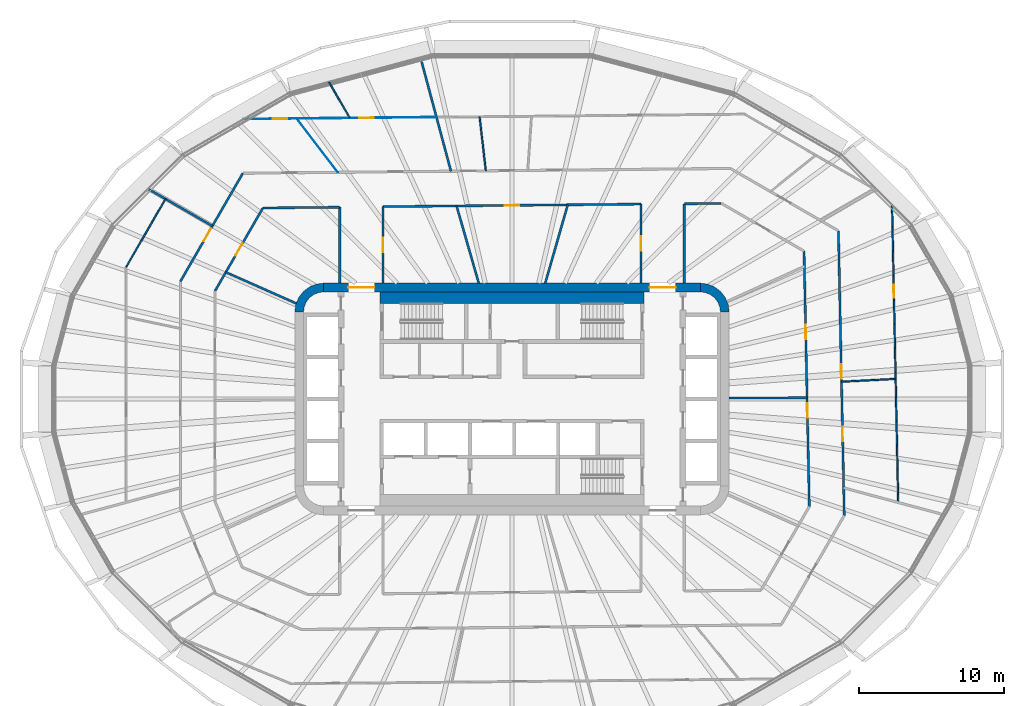
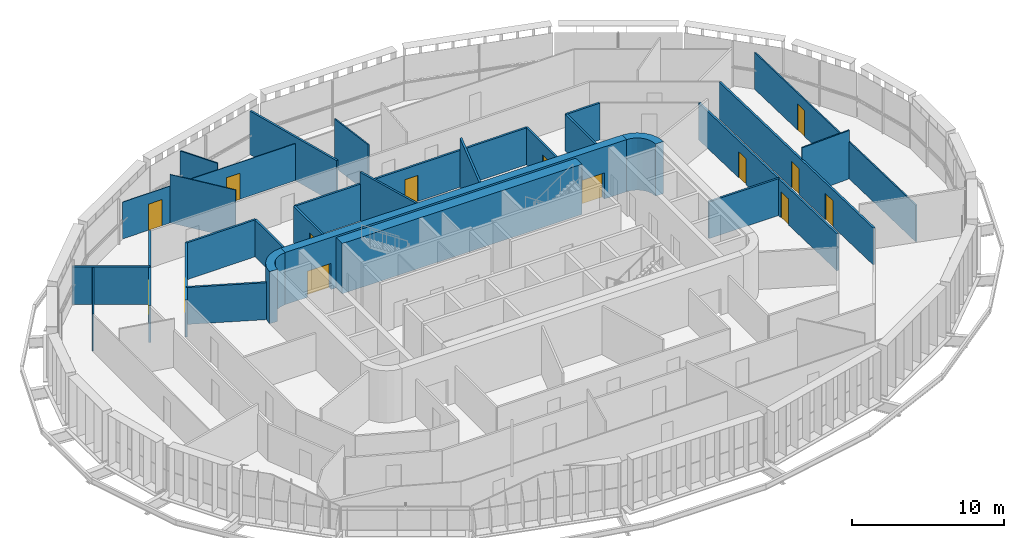
# One storey, part 17 of 26: 28 walls, 14 doors, 14 openings.
"""IFC4 building model written with IfcOpenShell, lengths in metres."""

from ifc_helpers import new_model, si_unit, direction, frame, frame_2d, origin, place, context, subcontext, project, spatial, polyline, rectangle, outline, extrude, material, layer, layer_set, type_object, element, fill, save


model = new_model("IFC4")

# Units and contexts
model_context = context("Model", 3, precision=1e-05, world=origin(), true_north=direction((0.0, 1.0)))
body_context = subcontext(model_context, "Body", "Model", "MODEL_VIEW")
ifc_project = project(units=[si_unit("LENGTHUNIT", "METRE"), si_unit("AREAUNIT", "SQUARE_METRE"), si_unit("VOLUMEUNIT", "CUBIC_METRE"), si_unit("PLANEANGLEUNIT", "RADIAN"), si_unit("MASSUNIT", "GRAM", prefix="KILO")], contexts=[model_context])

# Site, building, storey
site_placement = place(None, origin())
site = spatial("IfcSite", under=ifc_project, at=site_placement, CompositionType="ELEMENT")
building_placement = place(site_placement, origin())
building = spatial("IfcBuilding", under=site, at=building_placement, Name="Sahrelin Media Tower", CompositionType="ELEMENT")
storey_placement = place(building_placement, frame((0.0, 0.0, 88.199951171875)))
storey = spatial("IfcBuildingStorey", under=building, at=storey_placement, Name="L16", CompositionType="ELEMENT", Elevation=88.199951171875)

# Wall, openings, doors
ifc_material_1 = material(Name="Concrete C60/75", Category="concrete")
ifc_layer_1 = layer(ifc_material_1, 0.60009765625)
ifc_layer_set_1 = layer_set([ifc_layer_1], Name="Core wall 600")
wall_type_1 = type_object("IfcWallType", Name="Core wall 600", PredefinedType="SHEAR", material=ifc_layer_set_1)
wall_1_placement = place(storey_placement, frame((-13.0, 7.699951171875, 0.0), z_axis=(0.0, 0.0, 1.0), x_axis=(1.0, 0.0, 0.0)))
wall_1 = element("IfcWall", 1, at=wall_1_placement, inside=storey, type_object=wall_type_1, Name="Core wall N L16", PredefinedType="SHEAR", context=body_context, shape_type="SweptSolid", body=[
    extrude(rectangle(XDim=26.0, YDim=0.60009765625, at=frame_2d((13.0, 0.0))), origin(), (0.0, 0.0, 1.0), 4.199951171875),
])
opening_1_placement = place(wall_1_placement, frame((1.699951171875, 0.0, 0.0)))
opening_1 = element("IfcOpeningElement", 2, at=opening_1_placement, cuts=wall_1, Name="Opening L16-D17", PredefinedType="OPENING", context=body_context, shape_type="SweptSolid", body=[
    extrude(rectangle(XDim=1.800048828125, YDim=2.10009765625, at=frame_2d((0.89990234375, 1.050048828125))), frame((0.0, 0.300048828125, 0.0), z_axis=(0.0, -1.0, 0.0), x_axis=(1.0, 0.0, 0.0)), (0.0, 0.0, 1.0), 0.60009765625),
])
opening_2_placement = place(wall_1_placement, frame((22.5, 0.0, 0.0)))
opening_2 = element("IfcOpeningElement", 3, at=opening_2_placement, cuts=wall_1, Name="Opening L16-D18", PredefinedType="OPENING", context=body_context, shape_type="SweptSolid", body=[
    extrude(rectangle(XDim=1.800048828125, YDim=2.10009765625, at=frame_2d((0.89990234375, 1.050048828125))), frame((0.0, 0.300048828125, 0.0), z_axis=(0.0, -1.0, 0.0), x_axis=(1.0, 0.0, 0.0)), (0.0, 0.0, 1.0), 0.60009765625),
])
ifc_material_2 = material(Name="Steel fire door leaf", Category="steel")
door_type_1 = type_object("IfcDoorType", Name="Lobby double door 1800 x 2100 EI 60", OperationType="DOUBLE_DOOR_SINGLE_SWING", PredefinedType="DOOR", material=ifc_material_2)
door_1_placement = place(opening_1_placement, origin())
door_1 = element("IfcDoor", 4, at=door_1_placement, inside=storey, type_object=door_type_1, Name="Lobby door", OperationType="DOUBLE_DOOR_SINGLE_SWING", OverallHeight=2.10009765625, OverallWidth=1.800048828125, PredefinedType="DOOR", context=body_context, shape_type="SweptSolid", body=[
    extrude(rectangle(XDim=1.800048828125, YDim=2.10009765625, at=frame_2d((0.89990234375, 1.050048828125))), frame((0.0, 0.02490234375, 0.0), z_axis=(0.0, -1.0, 0.0), x_axis=(1.0, 0.0, 0.0)), (0.0, 0.0, 1.0), 0.050048828125),
])
fill(opening_1, door_1)
door_2_placement = place(opening_2_placement, origin())
door_2 = element("IfcDoor", 5, at=door_2_placement, inside=storey, type_object=door_type_1, Name="Lobby door", OperationType="DOUBLE_DOOR_SINGLE_SWING", OverallHeight=2.10009765625, OverallWidth=1.800048828125, PredefinedType="DOOR", context=body_context, shape_type="SweptSolid", body=[
    extrude(rectangle(XDim=1.800048828125, YDim=2.10009765625, at=frame_2d((0.89990234375, 1.050048828125))), frame((0.0, 0.02490234375, 0.0), z_axis=(0.0, -1.0, 0.0), x_axis=(1.0, 0.0, 0.0)), (0.0, 0.0, 1.0), 0.050048828125),
])
fill(opening_2, door_2)

# Walls
placement = place(storey_placement, origin())
element("IfcWall", 6, at=placement, inside=storey, type_object=wall_type_1, Name="Core wall corner NE L16", PredefinedType="SHEAR", context=body_context, shape_type="SweptSolid", body=[
    extrude(outline(polyline([(13.0, 8.0), (13.0, 7.394775390625), (13.361083984375, 7.347412109375), (13.697509765625, 7.2080078125), (13.986328125, 6.986328125), (14.2080078125, 6.697509765625), (14.347412109375, 6.361083984375), (14.394775390625, 6.0), (15.0, 6.0), (14.931884765625, 6.517578125), (14.732177734375, 7.0), (14.414306640625, 7.414306640625), (14.0, 7.732177734375), (13.517578125, 7.931884765625), (13.0, 8.0)])), origin(), (0.0, 0.0, 1.0), 4.199951171875),
])
element("IfcWall", 7, at=placement, inside=storey, type_object=wall_type_1, Name="Core wall corner NW L16", PredefinedType="SHEAR", context=body_context, shape_type="SweptSolid", body=[
    extrude(outline(polyline([(-15.0, 6.0), (-14.394775390625, 6.0), (-14.347412109375, 6.361083984375), (-14.2080078125, 6.697509765625), (-13.986328125, 6.986328125), (-13.697509765625, 7.2080078125), (-13.361083984375, 7.347412109375), (-13.0, 7.394775390625), (-13.0, 8.0), (-13.517578125, 7.931884765625), (-14.0, 7.732177734375), (-14.414306640625, 7.414306640625), (-14.732177734375, 7.0), (-14.931884765625, 6.517578125), (-15.0, 6.0)])), origin(), (0.0, 0.0, 1.0), 4.199951171875),
])

# Wall, openings, doors
ifc_material_3 = material(Name="Fire-rated gypsum board partition")
ifc_layer_2 = layer(ifc_material_3, 0.14990234375)
ifc_layer_set_2 = layer_set([ifc_layer_2], Name="Fire-rated partition 150")
wall_type_2 = type_object("IfcWallType", Name="Fire-rated partition 150", PredefinedType="PARTITIONING", material=ifc_layer_set_2)
wall_4_placement = place(storey_placement, frame((20.1669921875, 10.212890625, 0.0), z_axis=(0.0, 0.0, 1.0), x_axis=(0.020610894613, -0.999787572949, 0.0)))
wall_4 = element("IfcWall", 8, at=wall_4_placement, inside=storey, type_object=wall_type_2, Name="Wall", PredefinedType="PARTITIONING", context=body_context, shape_type="SweptSolid", body=[
    extrude(rectangle(XDim=17.637451171875, YDim=0.14990234375, at=frame_2d((8.81884765625, 0.0))), origin(), (0.0, 0.0, 1.0), 2.96826171875),
])
opening_3_placement = place(wall_4_placement, frame((10.5078125, 0.0, 0.0)))
opening_3 = element("IfcOpeningElement", 9, at=opening_3_placement, cuts=wall_4, Name="Opening L16-D25", PredefinedType="OPENING", context=body_context, shape_type="SweptSolid", body=[
    extrude(rectangle(XDim=1.0, YDim=2.10009765625, at=frame_2d((0.5, 1.050048828125))), frame((0.0, 0.074951171875, 0.0), z_axis=(0.0, -1.0, 0.0), x_axis=(1.0, 0.0, 0.0)), (0.0, 0.0, 1.0), 0.14990234375),
])
opening_4_placement = place(wall_4_placement, frame((5.089599609375, 0.0, 0.0)))
opening_4 = element("IfcOpeningElement", 10, at=opening_4_placement, cuts=wall_4, Name="Opening L16-D26", PredefinedType="OPENING", context=body_context, shape_type="SweptSolid", body=[
    extrude(rectangle(XDim=1.0, YDim=2.10009765625, at=frame_2d((0.5, 1.050048828125))), frame((0.0, 0.074951171875, 0.0), z_axis=(0.0, -1.0, 0.0), x_axis=(1.0, 0.0, 0.0)), (0.0, 0.0, 1.0), 0.14990234375),
])
door_type_2 = type_object("IfcDoorType", Name="Fire door 1000 x 2100 EI 60", OperationType="NOTDEFINED", PredefinedType="DOOR", material=ifc_material_2)
door_3_placement = place(opening_3_placement, origin())
door_3 = element("IfcDoor", 11, at=door_3_placement, inside=storey, type_object=door_type_2, Name="Fire door", OperationType="SINGLE_SWING_LEFT", OverallHeight=2.10009765625, OverallWidth=1.0, PredefinedType="DOOR", context=body_context, shape_type="SweptSolid", body=[
    extrude(rectangle(XDim=1.0, YDim=2.10009765625, at=frame_2d((0.5, 1.050048828125))), frame((0.0, 0.02490234375, 0.0), z_axis=(0.0, -1.0, 0.0), x_axis=(1.0, 0.0, 0.0)), (0.0, 0.0, 1.0), 0.050048828125),
])
fill(opening_3, door_3)
door_4_placement = place(opening_4_placement, origin())
door_4 = element("IfcDoor", 12, at=door_4_placement, inside=storey, type_object=door_type_2, Name="Fire door", OperationType="SINGLE_SWING_RIGHT", OverallHeight=2.10009765625, OverallWidth=1.0, PredefinedType="DOOR", context=body_context, shape_type="SweptSolid", body=[
    extrude(rectangle(XDim=1.0, YDim=2.10009765625, at=frame_2d((0.5, 1.050048828125))), frame((0.0, 0.02490234375, 0.0), z_axis=(0.0, -1.0, 0.0), x_axis=(1.0, 0.0, 0.0)), (0.0, 0.0, 1.0), 0.050048828125),
])
fill(opening_4, door_4)

wall_5_placement = place(storey_placement, frame((22.5390625, 11.614990234375, 0.0), z_axis=(0.0, 0.0, 1.0), x_axis=(0.020601506683, -0.99978776644, 0.0)))
wall_5 = element("IfcWall", 13, at=wall_5_placement, inside=storey, type_object=wall_type_2, Name="Wall", PredefinedType="PARTITIONING", context=body_context, shape_type="SweptSolid", body=[
    extrude(rectangle(XDim=19.66015625, YDim=0.14990234375, at=frame_2d((9.830078125, 0.0))), origin(), (0.0, 0.0, 1.0), 2.96826171875),
])
opening_5_placement = place(wall_5_placement, frame((13.53955078125, 0.0, 0.0)))
opening_5 = element("IfcOpeningElement", 14, at=opening_5_placement, cuts=wall_5, Name="Opening L16-D38", PredefinedType="OPENING", context=body_context, shape_type="SweptSolid", body=[
    extrude(rectangle(XDim=1.0, YDim=2.10009765625, at=frame_2d((0.5, 1.050048828125))), frame((0.0, 0.074951171875, 0.0), z_axis=(0.0, -1.0, 0.0), x_axis=(1.0, 0.0, 0.0)), (0.0, 0.0, 1.0), 0.14990234375),
])
opening_6_placement = place(wall_5_placement, frame((9.22998046875, 0.0, 0.0)))
opening_6 = element("IfcOpeningElement", 15, at=opening_6_placement, cuts=wall_5, Name="Opening L16-D39", PredefinedType="OPENING", context=body_context, shape_type="SweptSolid", body=[
    extrude(rectangle(XDim=1.0, YDim=2.10009765625, at=frame_2d((0.5, 1.050048828125))), frame((0.0, 0.074951171875, 0.0), z_axis=(0.0, -1.0, 0.0), x_axis=(1.0, 0.0, 0.0)), (0.0, 0.0, 1.0), 0.14990234375),
])
door_5_placement = place(opening_5_placement, origin())
door_5 = element("IfcDoor", 16, at=door_5_placement, inside=storey, type_object=door_type_2, Name="Fire door", OperationType="SINGLE_SWING_LEFT", OverallHeight=2.10009765625, OverallWidth=1.0, PredefinedType="DOOR", context=body_context, shape_type="SweptSolid", body=[
    extrude(rectangle(XDim=1.0, YDim=2.10009765625, at=frame_2d((0.5, 1.050048828125))), frame((0.0, 0.02490234375, 0.0), z_axis=(0.0, -1.0, 0.0), x_axis=(1.0, 0.0, 0.0)), (0.0, 0.0, 1.0), 0.050048828125),
])
fill(opening_5, door_5)
door_6_placement = place(opening_6_placement, origin())
door_6 = element("IfcDoor", 17, at=door_6_placement, inside=storey, type_object=door_type_2, Name="Fire door", OperationType="SINGLE_SWING_LEFT", OverallHeight=2.10009765625, OverallWidth=1.0, PredefinedType="DOOR", context=body_context, shape_type="SweptSolid", body=[
    extrude(rectangle(XDim=1.0, YDim=2.10009765625, at=frame_2d((0.5, 1.050048828125))), frame((0.0, 0.02490234375, 0.0), z_axis=(0.0, -1.0, 0.0), x_axis=(1.0, 0.0, 0.0)), (0.0, 0.0, 1.0), 0.050048828125),
])
fill(opening_6, door_6)

# Walls
wall_6_placement = place(storey_placement, frame((-6.31494140625, 23.56591796875, 0.0), z_axis=(0.0, 0.0, 1.0), x_axis=(0.258844392232, -0.96591903419, 0.0)))
element("IfcWall", 18, at=wall_6_placement, inside=storey, type_object=wall_type_2, Name="Wall", PredefinedType="PARTITIONING", context=body_context, shape_type="SweptSolid", body=[
    extrude(rectangle(XDim=8.1123046875, YDim=0.14990234375, at=frame_2d((4.05615234375, 0.0))), origin(), (0.0, 0.0, 1.0), 3.501708984375),
])
wall_7_placement = place(storey_placement, frame((-3.826904296875, 13.3330078125, 0.0), z_axis=(0.0, 0.0, 1.0), x_axis=(0.275935525478, -0.961176147113, 0.0)))
element("IfcWall", 19, at=wall_7_placement, inside=storey, type_object=wall_type_2, Name="Wall", PredefinedType="PARTITIONING", context=body_context, shape_type="SweptSolid", body=[
    extrude(rectangle(XDim=5.54833984375, YDim=0.14990234375, at=frame_2d((2.774169921875, 0.0))), origin(), (0.0, 0.0, 1.0), 3.900146484375),
])
wall_8_placement = place(storey_placement, frame((-25.131103515625, 14.509033203125, 0.0), z_axis=(0.0, 0.0, 1.0), x_axis=(0.866037334331, -0.499979335118, 0.0)))
element("IfcWall", 20, at=wall_8_placement, inside=storey, type_object=wall_type_2, Name="Wall", PredefinedType="PARTITIONING", context=body_context, shape_type="SweptSolid", body=[
    extrude(rectangle(XDim=5.128173828125, YDim=0.14990234375, at=frame_2d((2.56396484375, 0.0))), origin(), (0.0, 0.0, 1.0), 3.045166015625),
])
wall_9_placement = place(storey_placement, frame((-19.760009765625, 8.7548828125, 0.0), z_axis=(0.0, 0.0, 1.0), x_axis=(0.91424834547, -0.405154245695, 0.0)))
element("IfcWall", 21, at=wall_9_placement, inside=storey, type_object=wall_type_2, Name="Wall", PredefinedType="PARTITIONING", context=body_context, shape_type="SweptSolid", body=[
    extrude(rectangle(XDim=5.31787109375, YDim=0.14990234375, at=frame_2d((2.658935546875, 0.0))), origin(), (0.0, 0.0, 1.0), 2.97705078125),
])
wall_10_placement = place(storey_placement, frame((15.0, 0.06298828125, 0.0), z_axis=(0.0, 0.0, 1.0), x_axis=(0.999990294223, 0.004405843865, 0.0)))
element("IfcWall", 22, at=wall_10_placement, inside=storey, type_object=wall_type_2, Name="Wall", PredefinedType="PARTITIONING", context=body_context, shape_type="SweptSolid", body=[
    extrude(rectangle(XDim=5.375, YDim=0.14990234375, at=frame_2d((2.6875, 0.0))), origin(), (0.0, 0.0, 1.0), 2.96826171875),
])
wall_11_placement = place(storey_placement, frame((-17.194091796875, 13.19091796875, 0.0), z_axis=(0.0, 0.0, 1.0), x_axis=(0.999950853109, 0.009914200296, 0.0)))
element("IfcWall", 23, at=wall_11_placement, inside=storey, type_object=wall_type_2, Name="Wall", PredefinedType="PARTITIONING", context=body_context, shape_type="SweptSolid", body=[
    extrude(rectangle(XDim=5.29443359375, YDim=0.14990234375, at=frame_2d((2.647216796875, 0.0))), origin(), (0.0, 0.0, 1.0), 2.96826171875),
])

# Wall, opening, door
wall_12_placement = place(storey_placement, frame((-8.89990234375, 13.282470703125, 0.0), z_axis=(0.0, 0.0, 1.0), x_axis=(0.999950834077, 0.009916119672, 0.0)))
wall_12 = element("IfcWall", 24, at=wall_12_placement, inside=storey, type_object=wall_type_2, Name="Wall", PredefinedType="PARTITIONING", context=body_context, shape_type="SweptSolid", body=[
    extrude(rectangle(XDim=17.80078125, YDim=0.14990234375, at=frame_2d((8.900390625, 0.0))), origin(), (0.0, 0.0, 1.0), 2.96826171875),
])
opening_7_placement = place(wall_12_placement, frame((8.412109375, 0.0, 0.0)))
opening_7 = element("IfcOpeningElement", 25, at=opening_7_placement, cuts=wall_12, Name="Opening L16-D29", PredefinedType="OPENING", context=body_context, shape_type="SweptSolid", body=[
    extrude(rectangle(XDim=1.0, YDim=2.10009765625, at=frame_2d((0.5, 1.050048828125))), frame((0.0, 0.074951171875, 0.0), z_axis=(0.0, -1.0, 0.0), x_axis=(1.0, 0.0, 0.0)), (0.0, 0.0, 1.0), 0.14990234375),
])
door_7_placement = place(opening_7_placement, origin())
door_7 = element("IfcDoor", 26, at=door_7_placement, inside=storey, type_object=door_type_2, Name="Fire door", OperationType="SINGLE_SWING_LEFT", OverallHeight=2.10009765625, OverallWidth=1.0, PredefinedType="DOOR", context=body_context, shape_type="SweptSolid", body=[
    extrude(rectangle(XDim=1.0, YDim=2.10009765625, at=frame_2d((0.5, 1.050048828125))), frame((0.0, 0.02490234375, 0.0), z_axis=(0.0, -1.0, 0.0), x_axis=(1.0, 0.0, 0.0)), (0.0, 0.0, 1.0), 0.050048828125),
])
fill(opening_7, door_7)

# Wall
wall_13_placement = place(storey_placement, frame((11.89990234375, 13.47998046875, 0.0), z_axis=(0.0, 0.0, 1.0), x_axis=(0.999950357576, 0.009964054536, 0.0)))
element("IfcWall", 27, at=wall_13_placement, inside=storey, type_object=wall_type_2, Name="Wall", PredefinedType="PARTITIONING", context=body_context, shape_type="SweptSolid", body=[
    extrude(rectangle(XDim=2.54833984375, YDim=0.14990234375, at=frame_2d((1.274169921875, 0.0))), origin(), (0.0, 0.0, 1.0), 2.96826171875),
])

# Wall, opening, door
wall_14_placement = place(storey_placement, frame((-20.5, 7.47412109375, 0.0), z_axis=(0.0, 0.0, 1.0), x_axis=(0.500012665616, 0.866018091164, 0.0)))
wall_14 = element("IfcWall", 28, at=wall_14_placement, inside=storey, type_object=wall_type_2, Name="Wall", PredefinedType="PARTITIONING", context=body_context, shape_type="SweptSolid", body=[
    extrude(rectangle(XDim=6.602294921875, YDim=0.14990234375, at=frame_2d((3.30126953125, 0.0))), origin(), (0.0, 0.0, 1.0), 2.96826171875),
])
opening_8_placement = place(wall_14_placement, frame((2.802978515625, 0.0, 0.0)))
opening_8 = element("IfcOpeningElement", 29, at=opening_8_placement, cuts=wall_14, Name="Opening L16-D31", PredefinedType="OPENING", context=body_context, shape_type="SweptSolid", body=[
    extrude(rectangle(XDim=1.0, YDim=2.10009765625, at=frame_2d((0.5, 1.050048828125))), frame((0.0, 0.074951171875, 0.0), z_axis=(0.0, -1.0, 0.0), x_axis=(1.0, 0.0, 0.0)), (0.0, 0.0, 1.0), 0.14990234375),
])
door_8_placement = place(opening_8_placement, origin())
door_8 = element("IfcDoor", 30, at=door_8_placement, inside=storey, type_object=door_type_2, Name="Fire door", OperationType="SINGLE_SWING_RIGHT", OverallHeight=2.10009765625, OverallWidth=1.0, PredefinedType="DOOR", context=body_context, shape_type="SweptSolid", body=[
    extrude(rectangle(XDim=1.0, YDim=2.10009765625, at=frame_2d((0.5, 1.050048828125))), frame((0.0, 0.02490234375, 0.0), z_axis=(0.0, -1.0, 0.0), x_axis=(1.0, 0.0, 0.0)), (0.0, 0.0, 1.0), 0.050048828125),
])
fill(opening_8, door_8)

wall_15_placement = place(storey_placement, frame((-22.900146484375, 8.116943359375, 0.0), z_axis=(0.0, 0.0, 1.0), x_axis=(0.5000050195, 0.866022505755, 0.0)))
wall_15 = element("IfcWall", 31, at=wall_15_placement, inside=storey, type_object=wall_type_2, Name="Wall", PredefinedType="PARTITIONING", context=body_context, shape_type="SweptSolid", body=[
    extrude(rectangle(XDim=8.6259765625, YDim=0.14990234375, at=frame_2d((4.31298828125, 0.0))), origin(), (0.0, 0.0, 1.0), 2.96826171875),
])
opening_9_placement = place(wall_15_placement, frame((3.210693359375, 0.0, 0.0)))
opening_9 = element("IfcOpeningElement", 32, at=opening_9_placement, cuts=wall_15, Name="Opening L16-D50", PredefinedType="OPENING", context=body_context, shape_type="SweptSolid", body=[
    extrude(rectangle(XDim=1.0, YDim=2.10009765625, at=frame_2d((0.5, 1.050048828125))), frame((0.0, 0.074951171875, 0.0), z_axis=(0.0, -1.0, 0.0), x_axis=(1.0, 0.0, 0.0)), (0.0, 0.0, 1.0), 0.14990234375),
])
door_9_placement = place(opening_9_placement, origin())
door_9 = element("IfcDoor", 33, at=door_9_placement, inside=storey, type_object=door_type_2, Name="Fire door", OperationType="SINGLE_SWING_RIGHT", OverallHeight=2.10009765625, OverallWidth=1.0, PredefinedType="DOOR", context=body_context, shape_type="SweptSolid", body=[
    extrude(rectangle(XDim=1.0, YDim=2.10009765625, at=frame_2d((0.5, 1.050048828125))), frame((0.0, 0.02490234375, 0.0), z_axis=(0.0, -1.0, 0.0), x_axis=(1.0, 0.0, 0.0)), (0.0, 0.0, 1.0), 0.050048828125),
])
fill(opening_9, door_9)

# Walls
wall_16_placement = place(storey_placement, frame((2.2958984375, 8.0, 0.0), z_axis=(0.0, 0.0, 1.0), x_axis=(0.275958345059, 0.961169595749, 0.0)))
element("IfcWall", 34, at=wall_16_placement, inside=storey, type_object=wall_type_2, Name="Wall", PredefinedType="PARTITIONING", context=body_context, shape_type="SweptSolid", body=[
    extrude(rectangle(XDim=5.62841796875, YDim=0.14990234375, at=frame_2d((2.814208984375, 0.0))), origin(), (0.0, 0.0, 1.0), 3.900146484375),
])
wall_17_placement = place(storey_placement, frame((11.89990234375, 8.0, 0.0), z_axis=(0.0, 0.0, 1.0), x_axis=(0.0, 1.0, 0.0)))
element("IfcWall", 35, at=wall_17_placement, inside=storey, type_object=wall_type_2, Name="Wall", PredefinedType="PARTITIONING", context=body_context, shape_type="SweptSolid", body=[
    extrude(rectangle(XDim=5.47900390625, YDim=0.14990234375, at=frame_2d((2.739501953125, 0.0))), origin(), (0.0, 0.0, 1.0), 2.96826171875),
])

# Wall, opening, door
wall_18_placement = place(storey_placement, frame((8.89990234375, 8.0, 0.0), z_axis=(0.0, 0.0, 1.0), x_axis=(0.0, 1.0, 0.0)))
wall_18 = element("IfcWall", 36, at=wall_18_placement, inside=storey, type_object=wall_type_2, Name="Wall", PredefinedType="PARTITIONING", context=body_context, shape_type="SweptSolid", body=[
    extrude(rectangle(XDim=5.4599609375, YDim=0.14990234375, at=frame_2d((2.72998046875, 0.0))), origin(), (0.0, 0.0, 1.0), 2.96826171875),
])
opening_10_placement = place(wall_18_placement, frame((2.22998046875, 0.0, 0.0)))
opening_10 = element("IfcOpeningElement", 37, at=opening_10_placement, cuts=wall_18, Name="Opening L16-D28", PredefinedType="OPENING", context=body_context, shape_type="SweptSolid", body=[
    extrude(rectangle(XDim=1.0, YDim=2.10009765625, at=frame_2d((0.5, 1.050048828125))), frame((0.0, 0.074951171875, 0.0), z_axis=(0.0, -1.0, 0.0), x_axis=(1.0, 0.0, 0.0)), (0.0, 0.0, 1.0), 0.14990234375),
])
door_10_placement = place(opening_10_placement, origin())
door_10 = element("IfcDoor", 38, at=door_10_placement, inside=storey, type_object=door_type_2, Name="Fire door", OperationType="SINGLE_SWING_LEFT", OverallHeight=2.10009765625, OverallWidth=1.0, PredefinedType="DOOR", context=body_context, shape_type="SweptSolid", body=[
    extrude(rectangle(XDim=1.0, YDim=2.10009765625, at=frame_2d((0.5, 1.050048828125))), frame((0.0, 0.02490234375, 0.0), z_axis=(0.0, -1.0, 0.0), x_axis=(1.0, 0.0, 0.0)), (0.0, 0.0, 1.0), 0.050048828125),
])
fill(opening_10, door_10)

wall_19_placement = place(storey_placement, frame((-8.89990234375, 8.0, 0.0), z_axis=(0.0, 0.0, 1.0), x_axis=(0.0, 1.0, 0.0)))
wall_19 = element("IfcWall", 39, at=wall_19_placement, inside=storey, type_object=wall_type_2, Name="Wall", PredefinedType="PARTITIONING", context=body_context, shape_type="SweptSolid", body=[
    extrude(rectangle(XDim=5.282958984375, YDim=0.14990234375, at=frame_2d((2.6416015625, 0.0))), origin(), (0.0, 0.0, 1.0), 2.96826171875),
])
opening_11_placement = place(wall_19_placement, frame((2.1416015625, 0.0, 0.0)))
opening_11 = element("IfcOpeningElement", 40, at=opening_11_placement, cuts=wall_19, Name="Opening L16-D30", PredefinedType="OPENING", context=body_context, shape_type="SweptSolid", body=[
    extrude(rectangle(XDim=1.0, YDim=2.10009765625, at=frame_2d((0.5, 1.050048828125))), frame((0.0, 0.074951171875, 0.0), z_axis=(0.0, -1.0, 0.0), x_axis=(1.0, 0.0, 0.0)), (0.0, 0.0, 1.0), 0.14990234375),
])
door_11_placement = place(opening_11_placement, origin())
door_11 = element("IfcDoor", 41, at=door_11_placement, inside=storey, type_object=door_type_2, Name="Fire door", OperationType="SINGLE_SWING_RIGHT", OverallHeight=2.10009765625, OverallWidth=1.0, PredefinedType="DOOR", context=body_context, shape_type="SweptSolid", body=[
    extrude(rectangle(XDim=1.0, YDim=2.10009765625, at=frame_2d((0.5, 1.050048828125))), frame((0.0, 0.02490234375, 0.0), z_axis=(0.0, -1.0, 0.0), x_axis=(1.0, 0.0, 0.0)), (0.0, 0.0, 1.0), 0.050048828125),
])
fill(opening_11, door_11)

# Walls
wall_20_placement = place(storey_placement, frame((-11.89990234375, 8.0, 0.0), z_axis=(0.0, 0.0, 1.0), x_axis=(0.0, 1.0, 0.0)))
element("IfcWall", 42, at=wall_20_placement, inside=storey, type_object=wall_type_2, Name="Wall", PredefinedType="PARTITIONING", context=body_context, shape_type="SweptSolid", body=[
    extrude(rectangle(XDim=5.242919921875, YDim=0.14990234375, at=frame_2d((2.62158203125, 0.0))), origin(), (0.0, 0.0, 1.0), 2.96826171875),
])
ifc_material_4 = material(Name="Clear glass", Category="glass")
ifc_layer_3 = layer(ifc_material_4, 0.050048828125)
ifc_layer_set_3 = layer_set([ifc_layer_3], Name="Glazed partition 50")
wall_type_3 = type_object("IfcWallType", Name="Glazed partition 50", PredefinedType="PARTITIONING", material=ifc_layer_set_3)
wall_21_placement = place(storey_placement, frame((-14.85888671875, 19.364013671875, 0.0), z_axis=(0.0, 0.0, 1.0), x_axis=(0.608714147517, -0.793389618418, 0.0)))
element("IfcWall", 43, at=wall_21_placement, inside=storey, type_object=wall_type_3, Name="Wall", PredefinedType="PARTITIONING", context=body_context, shape_type="SweptSolid", body=[
    extrude(rectangle(XDim=4.678466796875, YDim=0.050048828125, at=frame_2d((2.33935546875, 0.0))), origin(), (0.0, 0.0, 1.0), 3.900146484375),
])

# Wall, openings, doors
wall_22_placement = place(storey_placement, frame((-18.511962890625, 19.327880859375, 0.0), z_axis=(0.0, 0.0, 1.0), x_axis=(0.999950851933, 0.009914318817, 0.0)))
wall_22 = element("IfcWall", 44, at=wall_22_placement, inside=storey, type_object=wall_type_3, Name="Wall", PredefinedType="PARTITIONING", context=body_context, shape_type="SweptSolid", body=[
    extrude(rectangle(XDim=13.297607421875, YDim=0.050048828125, at=frame_2d((6.64892578125, 0.0))), origin(), (0.0, 0.0, 1.0), 2.96826171875),
])
opening_12_placement = place(wall_22_placement, frame((7.975341796875, 0.0, 0.0)))
opening_12 = element("IfcOpeningElement", 45, at=opening_12_placement, cuts=wall_22, Name="Opening L16-D48", PredefinedType="OPENING", context=body_context, shape_type="SweptSolid", body=[
    extrude(rectangle(XDim=1.0, YDim=2.10009765625, at=frame_2d((0.5, 1.050048828125))), frame((0.0, 0.02490234375, 0.0), z_axis=(0.0, -1.0, 0.0), x_axis=(1.0, 0.0, 0.0)), (0.0, 0.0, 1.0), 0.050048828125),
])
opening_13_placement = place(wall_22_placement, frame((2.00341796875, 0.0, 0.0)))
opening_13 = element("IfcOpeningElement", 46, at=opening_13_placement, cuts=wall_22, Name="Opening L16-D49", PredefinedType="OPENING", context=body_context, shape_type="SweptSolid", body=[
    extrude(rectangle(XDim=1.0, YDim=2.10009765625, at=frame_2d((0.5, 1.050048828125))), frame((0.0, 0.02490234375, 0.0), z_axis=(0.0, -1.0, 0.0), x_axis=(1.0, 0.0, 0.0)), (0.0, 0.0, 1.0), 0.050048828125),
])
door_type_3 = type_object("IfcDoorType", Name="Glazed door 1000 x 2100", OperationType="NOTDEFINED", PredefinedType="DOOR", material=ifc_material_4)
door_12_placement = place(opening_12_placement, origin())
door_12 = element("IfcDoor", 47, at=door_12_placement, inside=storey, type_object=door_type_3, Name="Glazed door", OperationType="SINGLE_SWING_LEFT", OverallHeight=2.10009765625, OverallWidth=1.0, PredefinedType="DOOR", context=body_context, shape_type="SweptSolid", body=[
    extrude(rectangle(XDim=1.0, YDim=2.10009765625, at=frame_2d((0.5, 1.050048828125))), frame((0.0, 0.02490234375, 0.0), z_axis=(0.0, -1.0, 0.0), x_axis=(1.0, 0.0, 0.0)), (0.0, 0.0, 1.0), 0.049560546875),
])
fill(opening_12, door_12)
door_13_placement = place(opening_13_placement, origin())
door_13 = element("IfcDoor", 48, at=door_13_placement, inside=storey, type_object=door_type_3, Name="Glazed door", OperationType="SINGLE_SWING_LEFT", OverallHeight=2.10009765625, OverallWidth=1.0, PredefinedType="DOOR", context=body_context, shape_type="SweptSolid", body=[
    extrude(rectangle(XDim=1.0, YDim=2.10009765625, at=frame_2d((0.5, 1.050048828125))), frame((0.0, 0.02490234375, 0.0), z_axis=(0.0, -1.0, 0.0), x_axis=(1.0, 0.0, 0.0)), (0.0, 0.0, 1.0), 0.049560546875),
])
fill(opening_13, door_13)

# Wall, opening, door
ifc_material_5 = material(Name="Gypsum board partition")
ifc_layer_4 = layer(ifc_material_5, 0.10009765625)
ifc_layer_set_4 = layer_set([ifc_layer_4], Name="Partition 100")
wall_type_4 = type_object("IfcWallType", Name="Partition 100", PredefinedType="PARTITIONING", material=ifc_layer_set_4)
wall_23_placement = place(storey_placement, frame((26.242919921875, 13.39697265625, 0.0), z_axis=(0.0, 0.0, 1.0), x_axis=(0.020639766813, -0.999786977324, 0.0)))
wall_23 = element("IfcWall", 49, at=wall_23_placement, inside=storey, type_object=wall_type_4, Name="Wall", PredefinedType="PARTITIONING", context=body_context, shape_type="SweptSolid", body=[
    extrude(rectangle(XDim=20.54638671875, YDim=0.10009765625, at=frame_2d((10.273193359375, 0.0))), origin(), (0.0, 0.0, 1.0), 2.96826171875),
])
opening_14_placement = place(wall_23_placement, frame((5.506103515625, 0.0, 0.0)))
opening_14 = element("IfcOpeningElement", 50, at=opening_14_placement, cuts=wall_23, Name="Opening L16-D40", PredefinedType="OPENING", context=body_context, shape_type="SweptSolid", body=[
    extrude(rectangle(XDim=0.89990234375, YDim=2.10009765625, at=frame_2d((0.449951171875, 1.050048828125))), frame((0.0, 0.050048828125, 0.0), z_axis=(0.0, -1.0, 0.0), x_axis=(1.0, 0.0, 0.0)), (0.0, 0.0, 1.0), 0.10009765625),
])
ifc_material_6 = material(Name="Timber door leaf", Category="wood")
door_type_4 = type_object("IfcDoorType", Name="Single door 900 x 2100", OperationType="NOTDEFINED", PredefinedType="DOOR", material=ifc_material_6)
door_14_placement = place(opening_14_placement, origin())
door_14 = element("IfcDoor", 51, at=door_14_placement, inside=storey, type_object=door_type_4, Name="Single door", OperationType="SINGLE_SWING_RIGHT", OverallHeight=2.10009765625, OverallWidth=0.89990234375, PredefinedType="DOOR", context=body_context, shape_type="SweptSolid", body=[
    extrude(rectangle(XDim=0.89990234375, YDim=2.10009765625, at=frame_2d((0.449951171875, 1.050048828125))), frame((0.0, 0.02490234375, 0.0), z_axis=(0.0, -1.0, 0.0), x_axis=(1.0, 0.0, 0.0)), (0.0, 0.0, 1.0), 0.050048828125),
])
fill(opening_14, door_14)

# Walls
wall_24_placement = place(storey_placement, frame((-2.237060546875, 19.489990234375, 0.0), z_axis=(0.0, 0.0, 1.0), x_axis=(0.114064733863, -0.993473319465, 0.0)))
element("IfcWall", 52, at=wall_24_placement, inside=storey, type_object=wall_type_4, Name="Wall", PredefinedType="PARTITIONING", context=body_context, shape_type="SweptSolid", body=[
    extrude(rectangle(XDim=3.7607421875, YDim=0.10009765625, at=frame_2d((1.88037109375, 0.0))), origin(), (0.0, 0.0, 1.0), 3.900146484375),
])
wall_25_placement = place(storey_placement, frame((-12.62890625, 21.8740234375, 0.0), z_axis=(0.0, 0.0, 1.0), x_axis=(0.500028324968, -0.866009049739, 0.0)))
element("IfcWall", 53, at=wall_25_placement, inside=storey, type_object=wall_type_4, Name="Wall", PredefinedType="PARTITIONING", context=body_context, shape_type="SweptSolid", body=[
    extrude(rectangle(XDim=2.855712890625, YDim=0.10009765625, at=frame_2d((1.427734375, 0.0))), origin(), (0.0, 0.0, 1.0), 3.501708984375),
])
wall_26_placement = place(storey_placement, frame((22.75390625, 1.193115234375, 0.0), z_axis=(0.0, 0.0, 1.0), x_axis=(0.998643838338, 0.05206231025, 0.0)))
element("IfcWall", 54, at=wall_26_placement, inside=storey, type_object=wall_type_4, Name="Wall", PredefinedType="PARTITIONING", context=body_context, shape_type="SweptSolid", body=[
    extrude(rectangle(XDim=3.7421875, YDim=0.10009765625, at=frame_2d((1.87109375, 0.0))), origin(), (0.0, 0.0, 1.0), 3.900146484375),
])
wall_27_placement = place(storey_placement, frame((-26.639892578125, 9.118896484375, 0.0), z_axis=(0.0, 0.0, 1.0), x_axis=(0.499955005135, 0.866051380023, 0.0)))
element("IfcWall", 55, at=wall_27_placement, inside=storey, type_object=wall_type_4, Name="Wall", PredefinedType="PARTITIONING", context=body_context, shape_type="SweptSolid", body=[
    extrude(rectangle(XDim=5.42236328125, YDim=0.10009765625, at=frame_2d((2.711181640625, 0.0))), origin(), (0.0, 0.0, 1.0), 2.97705078125),
])
ifc_layer_5 = layer(ifc_material_1, 0.800048828125)
ifc_layer_set_5 = layer_set([ifc_layer_5], Name="Stair enclosure wall 800")
wall_type_5 = type_object("IfcWallType", Name="Stair enclosure wall 800", PredefinedType="SOLIDWALL", material=ifc_layer_set_5)
wall_28_placement = place(storey_placement, frame((-9.125, 7.0, 0.0), z_axis=(0.0, 0.0, 1.0), x_axis=(1.0, 0.0, 0.0)))
element("IfcWall", 56, at=wall_28_placement, inside=storey, type_object=wall_type_5, Name="Stair enclosure wall", PredefinedType="SOLIDWALL", context=body_context, shape_type="SweptSolid", body=[
    extrude(rectangle(XDim=18.25, YDim=0.800048828125, at=frame_2d((9.125, 0.0))), origin(), (0.0, 0.0, 1.0), 4.050048828125),
])

save(model, "model.ifc")
